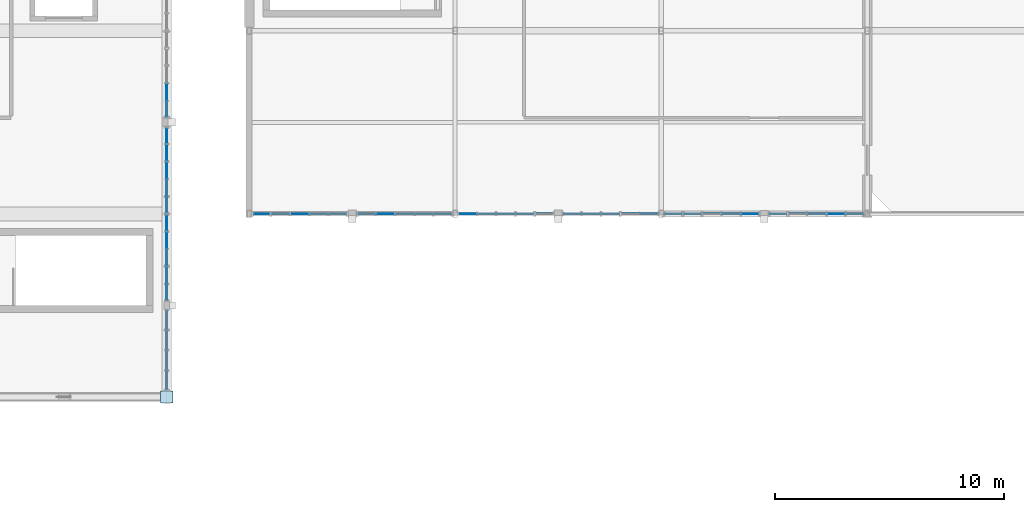
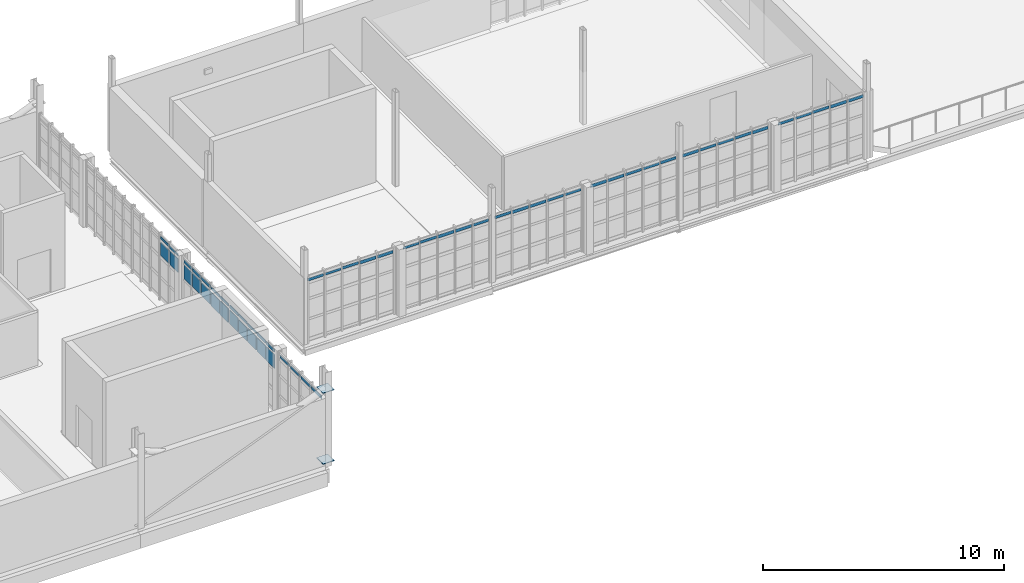
# One storey, part 101 of 128: 60 plates, 10 elements without a shape of their own.
"""IFC4 building model written with IfcOpenShell, lengths in metres."""

from ifc_helpers import new_model, si_unit, direction, frame, origin, origin_2d, place, context, subcontext, project, spatial, rectangle, extrude, material, layer, layer_set, type_object, element, aggregate, save


model = new_model("IFC4")

# Units and contexts
model_context = context("Model", 3, precision=1e-05, world=origin(), true_north=direction((0.0, 1.0)))
body_context = subcontext(model_context, "Body", "Model", "MODEL_VIEW")
ifc_project = project(units=[si_unit("LENGTHUNIT", "METRE"), si_unit("AREAUNIT", "SQUARE_METRE"), si_unit("VOLUMEUNIT", "CUBIC_METRE"), si_unit("PLANEANGLEUNIT", "RADIAN"), si_unit("MASSUNIT", "GRAM", prefix="KILO")], contexts=[model_context])

# Site, building, storey
site_placement = place(None, origin())
site = spatial("IfcSite", under=ifc_project, at=site_placement, CompositionType="ELEMENT")
building_placement = place(site_placement, origin())
building = spatial("IfcBuilding", under=site, at=building_placement, Name="Serraforn Aerial Cableway Station", CompositionType="ELEMENT")
storey_placement = place(building_placement, frame((0.0, 0.0, 9.0)))
storey = spatial("IfcBuildingStorey", under=building, at=storey_placement, Name="L02", CompositionType="ELEMENT", Elevation=9.0)

# Curtain wall, plate
ifc_material_1 = material(Name="Anodised bronze unitised curtain wall")
curtain_wall_type_1 = type_object("IfcCurtainWallType", Name="CW-SYS-1", PredefinedType="USERDEFINED", material=ifc_material_1)
curtain_wall_1_placement = place(storey_placement, origin())
curtain_wall_1 = element("IfcCurtainWall", 1, at=curtain_wall_1_placement, inside=storey, type_object=curtain_wall_type_1, Name="Unitised Curtain Wall CW-CV-L02-E2A", ObjectType="UNITISED CURTAIN WALL", PredefinedType="USERDEFINED")
ifc_material_2 = material(Name="Solar-control low-E double glazing", Category="glass")
ifc_layer_1 = layer(ifc_material_2, 0.02587890625)
ifc_layer_set_1 = layer_set([ifc_layer_1], Name="Solar-control low-E double glazing")
plate_type_1 = type_object("IfcPlateType", Name="CW-GLZ-1", PredefinedType="CURTAIN_PANEL", material=ifc_layer_set_1)
plate_1_placement = place(storey_placement, frame((90.60009765625, 29.419189453125, 3.0673828125), z_axis=(0.0, 0.0, 1.0), x_axis=(1.0, 0.0, 0.0)))
plate_1 = element("IfcPlate", 2, at=plate_1_placement, type_object=plate_type_1, Name="Curtain Wall Panel CW-CV-L02-E2A-P5-4", PredefinedType="CURTAIN_PANEL", context=body_context, shape_type="SweptSolid", body=[
    extrude(rectangle(XDim=0.02587890625, YDim=0.66552734375, at=origin_2d()), origin(), (0.0, 0.0, 1.0), 0.150146484375),
])

curtain_wall_type_2 = type_object("IfcCurtainWallType", Name="CW-SYS-23", PredefinedType="USERDEFINED", material=ifc_material_1)
curtain_wall_2_placement = place(storey_placement, origin())
curtain_wall_2 = element("IfcCurtainWall", 3, at=curtain_wall_2_placement, inside=storey, type_object=curtain_wall_type_2, Name="Unitised Curtain Wall CW-EL-L02-S1A", ObjectType="UNITISED CURTAIN WALL", PredefinedType="USERDEFINED")
plate_2_placement = place(storey_placement, frame((96.40771484375, 26.0, 3.090087890625), z_axis=(0.0, 0.0, 1.0), x_axis=(1.0, 0.0, 0.0)))
plate_2 = element("IfcPlate", 4, at=plate_2_placement, type_object=plate_type_1, Name="Curtain Wall Panel CW-EL-L02-S1A-P3-4", PredefinedType="CURTAIN_PANEL", context=body_context, shape_type="SweptSolid", body=[
    extrude(rectangle(XDim=0.791015625, YDim=0.02587890625, at=origin_2d()), origin(), (0.0, 0.0, 1.0), 0.14013671875),
])

curtain_wall_type_3 = type_object("IfcCurtainWallType", Name="CW-SYS-24", PredefinedType="USERDEFINED", material=ifc_material_1)
curtain_wall_3_placement = place(storey_placement, origin())
curtain_wall_3 = element("IfcCurtainWall", 5, at=curtain_wall_3_placement, inside=storey, type_object=curtain_wall_type_3, Name="Unitised Curtain Wall CW-EL-L02-S1B", ObjectType="UNITISED CURTAIN WALL", PredefinedType="USERDEFINED")
plate_3_placement = place(storey_placement, frame((100.145263671875, 26.0, 3.090087890625), z_axis=(0.0, 0.0, 1.0), x_axis=(1.0, 0.0, 0.0)))
plate_3 = element("IfcPlate", 6, at=plate_3_placement, type_object=plate_type_1, Name="Curtain Wall Panel CW-EL-L02-S1B-P2-4", PredefinedType="CURTAIN_PANEL", context=body_context, shape_type="SweptSolid", body=[
    extrude(rectangle(XDim=0.791015625, YDim=0.02587890625, at=origin_2d()), origin(), (0.0, 0.0, 1.0), 0.14013671875),
])

curtain_wall_type_4 = type_object("IfcCurtainWallType", Name="CW-SYS-25", PredefinedType="USERDEFINED", material=ifc_material_1)
curtain_wall_4_placement = place(storey_placement, origin())
curtain_wall_4 = element("IfcCurtainWall", 7, at=curtain_wall_4_placement, inside=storey, type_object=curtain_wall_type_4, Name="Unitised Curtain Wall CW-EL-L02-S2A", ObjectType="UNITISED CURTAIN WALL", PredefinedType="USERDEFINED")
plate_4_placement = place(storey_placement, frame((103.732666015625, 26.0, 3.090087890625), z_axis=(0.0, 0.0, 1.0), x_axis=(1.0, 0.0, 0.0)))
plate_4 = element("IfcPlate", 8, at=plate_4_placement, type_object=plate_type_1, Name="Curtain Wall Panel CW-EL-L02-S2A-P1-4", PredefinedType="CURTAIN_PANEL", context=body_context, shape_type="SweptSolid", body=[
    extrude(rectangle(XDim=0.763427734375, YDim=0.02587890625, at=origin_2d()), origin(), (0.0, 0.0, 1.0), 0.14013671875),
])

# Plate
ifc_layer_2 = layer(ifc_material_2, 0.028076171875)
ifc_layer_set_2 = layer_set([ifc_layer_2], Name="Solar-control low-E double glazing")
plate_type_2 = type_object("IfcPlateType", Name="CW-GLZ-2", PredefinedType="CURTAIN_PANEL", material=ifc_layer_set_2)
plate_5_placement = place(storey_placement, frame((97.252197265625, 26.0, 3.0625), z_axis=(0.0, 0.0, 1.0), x_axis=(1.0, 0.0, 0.0)))
plate_5 = element("IfcPlate", 9, at=plate_5_placement, type_object=plate_type_2, Name="Curtain Wall Panel CW-EL-L02-S1A-P4-4", PredefinedType="CURTAIN_PANEL", context=body_context, shape_type="SweptSolid", body=[
    extrude(rectangle(XDim=0.785888671875, YDim=0.028076171875, at=origin_2d()), origin(), (0.0, 0.0, 1.0), 0.16259765625),
])

plate_6_placement = place(storey_placement, frame((100.98974609375, 26.0, 3.0625), z_axis=(0.0, 0.0, 1.0), x_axis=(1.0, 0.0, 0.0)))
plate_6 = element("IfcPlate", 10, at=plate_6_placement, type_object=plate_type_2, Name="Curtain Wall Panel CW-EL-L02-S1B-P3-4", PredefinedType="CURTAIN_PANEL", context=body_context, shape_type="SweptSolid", body=[
    extrude(rectangle(XDim=0.785888671875, YDim=0.028076171875, at=origin_2d()), origin(), (0.0, 0.0, 1.0), 0.16259765625),
])

plate_7_placement = place(storey_placement, frame((104.563232421875, 26.0, 3.0625), z_axis=(0.0, 0.0, 1.0), x_axis=(1.0, 0.0, 0.0)))
plate_7 = element("IfcPlate", 11, at=plate_7_placement, type_object=plate_type_2, Name="Curtain Wall Panel CW-EL-L02-S2A-P2-4", PredefinedType="CURTAIN_PANEL", context=body_context, shape_type="SweptSolid", body=[
    extrude(rectangle(XDim=0.785888671875, YDim=0.028076171875, at=origin_2d()), origin(), (0.0, 0.0, 1.0), 0.16259765625),
])

# Curtain wall, plate
curtain_wall_type_5 = type_object("IfcCurtainWallType", Name="CW-SYS-26", PredefinedType="USERDEFINED", material=ifc_material_1)
curtain_wall_5_placement = place(storey_placement, origin())
curtain_wall_5 = element("IfcCurtainWall", 12, at=curtain_wall_5_placement, inside=storey, type_object=curtain_wall_type_5, Name="Unitised Curtain Wall CW-EL-L02-S2B", ObjectType="UNITISED CURTAIN WALL", PredefinedType="USERDEFINED")
plate_8_placement = place(storey_placement, frame((108.31591796875, 26.0, 3.0625), z_axis=(0.0, 0.0, 1.0), x_axis=(1.0, 0.0, 0.0)))
plate_8 = element("IfcPlate", 13, at=plate_8_placement, type_object=plate_type_2, Name="Curtain Wall Panel CW-EL-L02-S2B-P1-4", PredefinedType="CURTAIN_PANEL", context=body_context, shape_type="SweptSolid", body=[
    extrude(rectangle(XDim=0.755859375, YDim=0.028076171875, at=origin_2d()), origin(), (0.0, 0.0, 1.0), 0.16259765625),
])

curtain_wall_type_6 = type_object("IfcCurtainWallType", Name="CW-SYS-27", PredefinedType="USERDEFINED", material=ifc_material_1)
curtain_wall_6_placement = place(storey_placement, origin())
curtain_wall_6 = element("IfcCurtainWall", 14, at=curtain_wall_6_placement, inside=storey, type_object=curtain_wall_type_6, Name="Unitised Curtain Wall CW-CV-L02-E1A", ObjectType="UNITISED CURTAIN WALL", PredefinedType="USERDEFINED")
ifc_layer_3 = layer(ifc_material_2, 0.030029296875)
ifc_layer_set_3 = layer_set([ifc_layer_3], Name="Solar-control low-E double glazing")
plate_type_3 = type_object("IfcPlateType", Name="CW-GLZ-3", PredefinedType="CURTAIN_PANEL", material=ifc_layer_set_3)
plate_9_placement = place(storey_placement, frame((90.60009765625, 18.72998046875, 3.0625), z_axis=(0.0, 0.0, 1.0), x_axis=(1.0, 0.0, 0.0)))
plate_9 = element("IfcPlate", 15, at=plate_9_placement, type_object=plate_type_3, Name="Curtain Wall Panel CW-CV-L02-E1A-P1-4", PredefinedType="CURTAIN_PANEL", context=body_context, shape_type="SweptSolid", body=[
    extrude(rectangle(XDim=0.030029296875, YDim=0.79833984375, at=origin_2d()), origin(), (0.0, 0.0, 1.0), 0.16259765625),
])

curtain_wall_type_7 = type_object("IfcCurtainWallType", Name="CW-SYS-28", PredefinedType="USERDEFINED", material=ifc_material_1)
curtain_wall_7_placement = place(storey_placement, origin())
curtain_wall_7 = element("IfcCurtainWall", 16, at=curtain_wall_7_placement, inside=storey, type_object=curtain_wall_type_7, Name="Unitised Curtain Wall CW-CV-L02-E1B", ObjectType="UNITISED CURTAIN WALL", PredefinedType="USERDEFINED")
plate_10_placement = place(storey_placement, frame((90.60009765625, 22.576904296875, 2.24169921875), z_axis=(0.0, 0.0, 1.0), x_axis=(1.0, 0.0, 0.0)))
plate_10 = element("IfcPlate", 17, at=plate_10_placement, type_object=plate_type_3, Name="Curtain Wall Panel CW-CV-L02-E1B-P1-3", PredefinedType="CURTAIN_PANEL", context=body_context, shape_type="SweptSolid", body=[
    extrude(rectangle(XDim=0.030029296875, YDim=0.66796875, at=origin_2d()), origin(), (0.0, 0.0, 1.0), 0.709716796875),
])

# Plate
plate_11_placement = place(storey_placement, frame((98.0791015625, 26.0, 3.0673828125), z_axis=(0.0, 0.0, 1.0), x_axis=(1.0, 0.0, 0.0)))
plate_11 = element("IfcPlate", 18, at=plate_11_placement, type_object=plate_type_3, Name="Curtain Wall Panel CW-EL-L02-S1A-P5-4", PredefinedType="CURTAIN_PANEL", context=body_context, shape_type="SweptSolid", body=[
    extrude(rectangle(XDim=0.745849609375, YDim=0.030029296875, at=origin_2d()), origin(), (0.0, 0.0, 1.0), 0.150146484375),
])

plate_12_placement = place(storey_placement, frame((101.834228515625, 26.0, 3.0673828125), z_axis=(0.0, 0.0, 1.0), x_axis=(1.0, 0.0, 0.0)))
plate_12 = element("IfcPlate", 19, at=plate_12_placement, type_object=plate_type_3, Name="Curtain Wall Panel CW-EL-L02-S1B-P4-4", PredefinedType="CURTAIN_PANEL", context=body_context, shape_type="SweptSolid", body=[
    extrude(rectangle(XDim=0.781005859375, YDim=0.030029296875, at=origin_2d()), origin(), (0.0, 0.0, 1.0), 0.150146484375),
])

plate_13_placement = place(storey_placement, frame((105.40771484375, 26.0, 3.0673828125), z_axis=(0.0, 0.0, 1.0), x_axis=(1.0, 0.0, 0.0)))
plate_13 = element("IfcPlate", 20, at=plate_13_placement, type_object=plate_type_3, Name="Curtain Wall Panel CW-EL-L02-S2A-P3-4", PredefinedType="CURTAIN_PANEL", context=body_context, shape_type="SweptSolid", body=[
    extrude(rectangle(XDim=0.781005859375, YDim=0.030029296875, at=origin_2d()), origin(), (0.0, 0.0, 1.0), 0.150146484375),
])

plate_14_placement = place(storey_placement, frame((109.145263671875, 26.0, 3.0673828125), z_axis=(0.0, 0.0, 1.0), x_axis=(1.0, 0.0, 0.0)))
plate_14 = element("IfcPlate", 21, at=plate_14_placement, type_object=plate_type_3, Name="Curtain Wall Panel CW-EL-L02-S2B-P2-4", PredefinedType="CURTAIN_PANEL", context=body_context, shape_type="SweptSolid", body=[
    extrude(rectangle(XDim=0.781005859375, YDim=0.030029296875, at=origin_2d()), origin(), (0.0, 0.0, 1.0), 0.150146484375),
])

# Curtain wall, plate
curtain_wall_8_placement = place(storey_placement, origin())
curtain_wall_8 = element("IfcCurtainWall", 22, at=curtain_wall_8_placement, inside=storey, type_object=curtain_wall_type_6, Name="Unitised Curtain Wall CW-EL-L02-S3A", ObjectType="UNITISED CURTAIN WALL", PredefinedType="USERDEFINED")
plate_15_placement = place(storey_placement, frame((112.735107421875, 26.0, 3.0673828125), z_axis=(0.0, 0.0, 1.0), x_axis=(1.0, 0.0, 0.0)))
plate_15 = element("IfcPlate", 23, at=plate_15_placement, type_object=plate_type_3, Name="Curtain Wall Panel CW-EL-L02-S3A-P1-4", PredefinedType="CURTAIN_PANEL", context=body_context, shape_type="SweptSolid", body=[
    extrude(rectangle(XDim=0.748291015625, YDim=0.030029296875, at=origin_2d()), origin(), (0.0, 0.0, 1.0), 0.150146484375),
])

# Plate
ifc_layer_4 = layer(ifc_material_2, 0.031982421875)
ifc_layer_set_4 = layer_set([ifc_layer_4], Name="Solar-control low-E double glazing")
plate_type_4 = type_object("IfcPlateType", Name="CW-GLZ-4", PredefinedType="CURTAIN_PANEL", material=ifc_layer_set_4)
plate_16_placement = place(storey_placement, frame((90.60009765625, 19.601806640625, 3.0673828125), z_axis=(0.0, 0.0, 1.0), x_axis=(1.0, 0.0, 0.0)))
plate_16 = element("IfcPlate", 24, at=plate_16_placement, type_object=plate_type_4, Name="Curtain Wall Panel CW-CV-L02-E1A-P2-4", PredefinedType="CURTAIN_PANEL", context=body_context, shape_type="SweptSolid", body=[
    extrude(rectangle(XDim=0.031982421875, YDim=0.8232421875, at=origin_2d()), origin(), (0.0, 0.0, 1.0), 0.150146484375),
])

plate_17_placement = place(storey_placement, frame((90.60009765625, 22.576904296875, 3.0673828125), z_axis=(0.0, 0.0, 1.0), x_axis=(1.0, 0.0, 0.0)))
plate_17 = element("IfcPlate", 25, at=plate_17_placement, type_object=plate_type_4, Name="Curtain Wall Panel CW-CV-L02-E1B-P1-4", PredefinedType="CURTAIN_PANEL", context=body_context, shape_type="SweptSolid", body=[
    extrude(rectangle(XDim=0.031982421875, YDim=0.66796875, at=origin_2d()), origin(), (0.0, 0.0, 1.0), 0.150146484375),
])

plate_18_placement = place(storey_placement, frame((90.60009765625, 23.32470703125, 2.246826171875), z_axis=(0.0, 0.0, 1.0), x_axis=(1.0, 0.0, 0.0)))
plate_18 = element("IfcPlate", 26, at=plate_18_placement, type_object=plate_type_4, Name="Curtain Wall Panel CW-CV-L02-E1B-P2-3", PredefinedType="CURTAIN_PANEL", context=body_context, shape_type="SweptSolid", body=[
    extrude(rectangle(XDim=0.031982421875, YDim=0.695556640625, at=origin_2d()), origin(), (0.0, 0.0, 1.0), 0.697265625),
])

plate_19_placement = place(storey_placement, frame((90.60009765625, 26.398193359375, 2.246826171875), z_axis=(0.0, 0.0, 1.0), x_axis=(1.0, 0.0, 0.0)))
plate_19 = element("IfcPlate", 27, at=plate_19_placement, type_object=plate_type_4, Name="Curtain Wall Panel CW-CV-L02-E2A-P1-3", PredefinedType="CURTAIN_PANEL", context=body_context, shape_type="SweptSolid", body=[
    extrude(rectangle(XDim=0.031982421875, YDim=0.660400390625, at=origin_2d()), origin(), (0.0, 0.0, 1.0), 0.697265625),
])

plate_20_placement = place(storey_placement, frame((102.659912109375, 26.0, 3.0751953125), z_axis=(0.0, 0.0, 1.0), x_axis=(1.0, 0.0, 0.0)))
plate_20 = element("IfcPlate", 28, at=plate_20_placement, type_object=plate_type_4, Name="Curtain Wall Panel CW-EL-L02-S1B-P5-4", PredefinedType="CURTAIN_PANEL", context=body_context, shape_type="SweptSolid", body=[
    extrude(rectangle(XDim=0.73828125, YDim=0.031982421875, at=origin_2d()), origin(), (0.0, 0.0, 1.0), 0.135009765625),
])

plate_21_placement = place(storey_placement, frame((106.252197265625, 26.0, 3.0751953125), z_axis=(0.0, 0.0, 1.0), x_axis=(1.0, 0.0, 0.0)))
plate_21 = element("IfcPlate", 29, at=plate_21_placement, type_object=plate_type_4, Name="Curtain Wall Panel CW-EL-L02-S2A-P4-4", PredefinedType="CURTAIN_PANEL", context=body_context, shape_type="SweptSolid", body=[
    extrude(rectangle(XDim=0.77587890625, YDim=0.031982421875, at=origin_2d()), origin(), (0.0, 0.0, 1.0), 0.135009765625),
])

plate_22_placement = place(storey_placement, frame((109.98974609375, 26.0, 3.0751953125), z_axis=(0.0, 0.0, 1.0), x_axis=(1.0, 0.0, 0.0)))
plate_22 = element("IfcPlate", 30, at=plate_22_placement, type_object=plate_type_4, Name="Curtain Wall Panel CW-EL-L02-S2B-P3-4", PredefinedType="CURTAIN_PANEL", context=body_context, shape_type="SweptSolid", body=[
    extrude(rectangle(XDim=0.77587890625, YDim=0.031982421875, at=origin_2d()), origin(), (0.0, 0.0, 1.0), 0.135009765625),
])

plate_23_placement = place(storey_placement, frame((113.563232421875, 26.0, 3.0751953125), z_axis=(0.0, 0.0, 1.0), x_axis=(1.0, 0.0, 0.0)))
plate_23 = element("IfcPlate", 31, at=plate_23_placement, type_object=plate_type_4, Name="Curtain Wall Panel CW-EL-L02-S3A-P2-4", PredefinedType="CURTAIN_PANEL", context=body_context, shape_type="SweptSolid", body=[
    extrude(rectangle(XDim=0.77587890625, YDim=0.031982421875, at=origin_2d()), origin(), (0.0, 0.0, 1.0), 0.135009765625),
])

# Curtain wall, plate
curtain_wall_9_placement = place(storey_placement, origin())
curtain_wall_9 = element("IfcCurtainWall", 32, at=curtain_wall_9_placement, inside=storey, type_object=curtain_wall_type_7, Name="Unitised Curtain Wall CW-EL-L02-S3B", ObjectType="UNITISED CURTAIN WALL", PredefinedType="USERDEFINED")
plate_24_placement = place(storey_placement, frame((117.318359375, 26.0, 3.0751953125), z_axis=(0.0, 0.0, 1.0), x_axis=(1.0, 0.0, 0.0)))
plate_24 = element("IfcPlate", 33, at=plate_24_placement, type_object=plate_type_4, Name="Curtain Wall Panel CW-EL-L02-S3B-P1-4", PredefinedType="CURTAIN_PANEL", context=body_context, shape_type="SweptSolid", body=[
    extrude(rectangle(XDim=0.740966796875, YDim=0.031982421875, at=origin_2d()), origin(), (0.0, 0.0, 1.0), 0.135009765625),
])

# Plate
ifc_layer_5 = layer(ifc_material_2, 0.033935546875)
ifc_layer_set_5 = layer_set([ifc_layer_5], Name="Solar-control low-E double glazing")
plate_type_5 = type_object("IfcPlateType", Name="CW-GLZ-5", PredefinedType="CURTAIN_PANEL", material=ifc_layer_set_5)
plate_25_placement = place(storey_placement, frame((90.60009765625, 20.488525390625, 3.0751953125), z_axis=(0.0, 0.0, 1.0), x_axis=(1.0, 0.0, 0.0)))
plate_25 = element("IfcPlate", 34, at=plate_25_placement, type_object=plate_type_5, Name="Curtain Wall Panel CW-CV-L02-E1A-P3-4", PredefinedType="CURTAIN_PANEL", context=body_context, shape_type="SweptSolid", body=[
    extrude(rectangle(XDim=0.033935546875, YDim=0.818115234375, at=origin_2d()), origin(), (0.0, 0.0, 1.0), 0.135009765625),
])

plate_26_placement = place(storey_placement, frame((90.60009765625, 23.32470703125, 3.0751953125), z_axis=(0.0, 0.0, 1.0), x_axis=(1.0, 0.0, 0.0)))
plate_26 = element("IfcPlate", 35, at=plate_26_placement, type_object=plate_type_5, Name="Curtain Wall Panel CW-CV-L02-E1B-P2-4", PredefinedType="CURTAIN_PANEL", context=body_context, shape_type="SweptSolid", body=[
    extrude(rectangle(XDim=0.033935546875, YDim=0.695556640625, at=origin_2d()), origin(), (0.0, 0.0, 1.0), 0.135009765625),
])

plate_27_placement = place(storey_placement, frame((90.60009765625, 24.094970703125, 2.25439453125), z_axis=(0.0, 0.0, 1.0), x_axis=(1.0, 0.0, 0.0)))
plate_27 = element("IfcPlate", 36, at=plate_27_placement, type_object=plate_type_5, Name="Curtain Wall Panel CW-CV-L02-E1B-P3-3", PredefinedType="CURTAIN_PANEL", context=body_context, shape_type="SweptSolid", body=[
    extrude(rectangle(XDim=0.033935546875, YDim=0.702880859375, at=origin_2d()), origin(), (0.0, 0.0, 1.0), 0.682373046875),
])

plate_28_placement = place(storey_placement, frame((90.60009765625, 26.398193359375, 3.0751953125), z_axis=(0.0, 0.0, 1.0), x_axis=(1.0, 0.0, 0.0)))
plate_28 = element("IfcPlate", 37, at=plate_28_placement, type_object=plate_type_5, Name="Curtain Wall Panel CW-CV-L02-E2A-P1-4", PredefinedType="CURTAIN_PANEL", context=body_context, shape_type="SweptSolid", body=[
    extrude(rectangle(XDim=0.033935546875, YDim=0.660400390625, at=origin_2d()), origin(), (0.0, 0.0, 1.0), 0.135009765625),
])

plate_29_placement = place(storey_placement, frame((90.60009765625, 27.15087890625, 2.25439453125), z_axis=(0.0, 0.0, 1.0), x_axis=(1.0, 0.0, 0.0)))
plate_29 = element("IfcPlate", 38, at=plate_29_placement, type_object=plate_type_5, Name="Curtain Wall Panel CW-CV-L02-E2A-P2-3", PredefinedType="CURTAIN_PANEL", context=body_context, shape_type="SweptSolid", body=[
    extrude(rectangle(XDim=0.033935546875, YDim=0.702880859375, at=origin_2d()), origin(), (0.0, 0.0, 1.0), 0.682373046875),
])

# Curtain wall, plate
curtain_wall_type_8 = type_object("IfcCurtainWallType", Name="CW-SYS-2", PredefinedType="USERDEFINED", material=ifc_material_1)
curtain_wall_10_placement = place(storey_placement, origin())
curtain_wall_10 = element("IfcCurtainWall", 39, at=curtain_wall_10_placement, inside=storey, type_object=curtain_wall_type_8, Name="Unitised Curtain Wall CW-CV-L02-E2B", ObjectType="UNITISED CURTAIN WALL", PredefinedType="USERDEFINED")
plate_30_placement = place(storey_placement, frame((90.60009765625, 30.585693359375, 2.25439453125), z_axis=(0.0, 0.0, 1.0), x_axis=(1.0, 0.0, 0.0)))
plate_30 = element("IfcPlate", 40, at=plate_30_placement, type_object=plate_type_5, Name="Curtain Wall Panel CW-CV-L02-E2B-P1-3", PredefinedType="CURTAIN_PANEL", context=body_context, shape_type="SweptSolid", body=[
    extrude(rectangle(XDim=0.033935546875, YDim=0.66552734375, at=origin_2d()), origin(), (0.0, 0.0, 1.0), 0.682373046875),
])

# Plate
plate_31_placement = place(storey_placement, frame((107.089111328125, 26.0, 3.08251953125), z_axis=(0.0, 0.0, 1.0), x_axis=(1.0, 0.0, 0.0)))
plate_31 = element("IfcPlate", 41, at=plate_31_placement, type_object=plate_type_5, Name="Curtain Wall Panel CW-EL-L02-S2A-P5-4", PredefinedType="CURTAIN_PANEL", context=body_context, shape_type="SweptSolid", body=[
    extrude(rectangle(XDim=0.755859375, YDim=0.033935546875, at=origin_2d()), origin(), (0.0, 0.0, 1.0), 0.1201171875),
])

aggregate(curtain_wall_4, [plate_4, plate_7, plate_13, plate_21, plate_31])

plate_32_placement = place(storey_placement, frame((110.84033203125, 26.0, 3.08251953125), z_axis=(0.0, 0.0, 1.0), x_axis=(1.0, 0.0, 0.0)))
plate_32 = element("IfcPlate", 42, at=plate_32_placement, type_object=plate_type_5, Name="Curtain Wall Panel CW-EL-L02-S2B-P4-4", PredefinedType="CURTAIN_PANEL", context=body_context, shape_type="SweptSolid", body=[
    extrude(rectangle(XDim=0.783447265625, YDim=0.033935546875, at=origin_2d()), origin(), (0.0, 0.0, 1.0), 0.1201171875),
])

plate_33_placement = place(storey_placement, frame((114.4140625, 26.0, 3.08251953125), z_axis=(0.0, 0.0, 1.0), x_axis=(1.0, 0.0, 0.0)))
plate_33 = element("IfcPlate", 43, at=plate_33_placement, type_object=plate_type_5, Name="Curtain Wall Panel CW-EL-L02-S3A-P3-4", PredefinedType="CURTAIN_PANEL", context=body_context, shape_type="SweptSolid", body=[
    extrude(rectangle(XDim=0.783447265625, YDim=0.033935546875, at=origin_2d()), origin(), (0.0, 0.0, 1.0), 0.1201171875),
])

plate_34_placement = place(storey_placement, frame((118.151611328125, 26.0, 3.08251953125), z_axis=(0.0, 0.0, 1.0), x_axis=(1.0, 0.0, 0.0)))
plate_34 = element("IfcPlate", 44, at=plate_34_placement, type_object=plate_type_5, Name="Curtain Wall Panel CW-EL-L02-S3B-P2-4", PredefinedType="CURTAIN_PANEL", context=body_context, shape_type="SweptSolid", body=[
    extrude(rectangle(XDim=0.783447265625, YDim=0.033935546875, at=origin_2d()), origin(), (0.0, 0.0, 1.0), 0.1201171875),
])

ifc_layer_6 = layer(ifc_material_2, 0.035888671875)
ifc_layer_set_6 = layer_set([ifc_layer_6], Name="Solar-control low-E double glazing")
plate_type_6 = type_object("IfcPlateType", Name="CW-GLZ-6", PredefinedType="CURTAIN_PANEL", material=ifc_layer_set_6)
plate_35_placement = place(storey_placement, frame((90.60009765625, 21.367919921875, 3.08251953125), z_axis=(0.0, 0.0, 1.0), x_axis=(1.0, 0.0, 0.0)))
plate_35 = element("IfcPlate", 45, at=plate_35_placement, type_object=plate_type_6, Name="Curtain Wall Panel CW-CV-L02-E1A-P4-4", PredefinedType="CURTAIN_PANEL", context=body_context, shape_type="SweptSolid", body=[
    extrude(rectangle(XDim=0.035888671875, YDim=0.798095703125, at=origin_2d()), origin(), (0.0, 0.0, 1.0), 0.1201171875),
])

aggregate(curtain_wall_6, [plate_9, plate_16, plate_25, plate_35])

plate_36_placement = place(storey_placement, frame((90.60009765625, 24.094970703125, 3.08251953125), z_axis=(0.0, 0.0, 1.0), x_axis=(1.0, 0.0, 0.0)))
plate_36 = element("IfcPlate", 46, at=plate_36_placement, type_object=plate_type_6, Name="Curtain Wall Panel CW-CV-L02-E1B-P3-4", PredefinedType="CURTAIN_PANEL", context=body_context, shape_type="SweptSolid", body=[
    extrude(rectangle(XDim=0.035888671875, YDim=0.702880859375, at=origin_2d()), origin(), (0.0, 0.0, 1.0), 0.1201171875),
])

plate_37_placement = place(storey_placement, frame((90.60009765625, 24.852783203125, 2.26171875), z_axis=(0.0, 0.0, 1.0), x_axis=(1.0, 0.0, 0.0)))
plate_37 = element("IfcPlate", 47, at=plate_37_placement, type_object=plate_type_6, Name="Curtain Wall Panel CW-CV-L02-E1B-P4-3", PredefinedType="CURTAIN_PANEL", context=body_context, shape_type="SweptSolid", body=[
    extrude(rectangle(XDim=0.035888671875, YDim=0.71044921875, at=origin_2d()), origin(), (0.0, 0.0, 1.0), 0.667236328125),
])

plate_38_placement = place(storey_placement, frame((90.60009765625, 27.15087890625, 3.08251953125), z_axis=(0.0, 0.0, 1.0), x_axis=(1.0, 0.0, 0.0)))
plate_38 = element("IfcPlate", 48, at=plate_38_placement, type_object=plate_type_6, Name="Curtain Wall Panel CW-CV-L02-E2A-P2-4", PredefinedType="CURTAIN_PANEL", context=body_context, shape_type="SweptSolid", body=[
    extrude(rectangle(XDim=0.035888671875, YDim=0.702880859375, at=origin_2d()), origin(), (0.0, 0.0, 1.0), 0.1201171875),
])

plate_39_placement = place(storey_placement, frame((90.60009765625, 27.90869140625, 2.26171875), z_axis=(0.0, 0.0, 1.0), x_axis=(1.0, 0.0, 0.0)))
plate_39 = element("IfcPlate", 49, at=plate_39_placement, type_object=plate_type_6, Name="Curtain Wall Panel CW-CV-L02-E2A-P3-3", PredefinedType="CURTAIN_PANEL", context=body_context, shape_type="SweptSolid", body=[
    extrude(rectangle(XDim=0.035888671875, YDim=0.71044921875, at=origin_2d()), origin(), (0.0, 0.0, 1.0), 0.667236328125),
])

plate_40_placement = place(storey_placement, frame((90.60009765625, 30.585693359375, 3.08251953125), z_axis=(0.0, 0.0, 1.0), x_axis=(1.0, 0.0, 0.0)))
plate_40 = element("IfcPlate", 50, at=plate_40_placement, type_object=plate_type_6, Name="Curtain Wall Panel CW-CV-L02-E2B-P1-4", PredefinedType="CURTAIN_PANEL", context=body_context, shape_type="SweptSolid", body=[
    extrude(rectangle(XDim=0.035888671875, YDim=0.66552734375, at=origin_2d()), origin(), (0.0, 0.0, 1.0), 0.1201171875),
])

plate_41_placement = place(storey_placement, frame((90.60009765625, 31.32470703125, 2.26171875), z_axis=(0.0, 0.0, 1.0), x_axis=(1.0, 0.0, 0.0)))
plate_41 = element("IfcPlate", 51, at=plate_41_placement, type_object=plate_type_6, Name="Curtain Wall Panel CW-CV-L02-E2B-P2-3", PredefinedType="CURTAIN_PANEL", context=body_context, shape_type="SweptSolid", body=[
    extrude(rectangle(XDim=0.035888671875, YDim=0.71044921875, at=origin_2d()), origin(), (0.0, 0.0, 1.0), 0.667236328125),
])

plate_42_placement = place(storey_placement, frame((111.66357421875, 26.0, 3.090087890625), z_axis=(0.0, 0.0, 1.0), x_axis=(1.0, 0.0, 0.0)))
plate_42 = element("IfcPlate", 52, at=plate_42_placement, type_object=plate_type_6, Name="Curtain Wall Panel CW-EL-L02-S2B-P5-4", PredefinedType="CURTAIN_PANEL", context=body_context, shape_type="SweptSolid", body=[
    extrude(rectangle(XDim=0.760986328125, YDim=0.035888671875, at=origin_2d()), origin(), (0.0, 0.0, 1.0), 0.14013671875),
])

aggregate(curtain_wall_5, [plate_8, plate_14, plate_22, plate_32, plate_42])

plate_43_placement = place(storey_placement, frame((115.252197265625, 26.0, 3.090087890625), z_axis=(0.0, 0.0, 1.0), x_axis=(1.0, 0.0, 0.0)))
plate_43 = element("IfcPlate", 53, at=plate_43_placement, type_object=plate_type_6, Name="Curtain Wall Panel CW-EL-L02-S3A-P4-4", PredefinedType="CURTAIN_PANEL", context=body_context, shape_type="SweptSolid", body=[
    extrude(rectangle(XDim=0.791015625, YDim=0.035888671875, at=origin_2d()), origin(), (0.0, 0.0, 1.0), 0.14013671875),
])

plate_44_placement = place(storey_placement, frame((118.98974609375, 26.0, 3.090087890625), z_axis=(0.0, 0.0, 1.0), x_axis=(1.0, 0.0, 0.0)))
plate_44 = element("IfcPlate", 54, at=plate_44_placement, type_object=plate_type_6, Name="Curtain Wall Panel CW-EL-L02-S3B-P3-4", PredefinedType="CURTAIN_PANEL", context=body_context, shape_type="SweptSolid", body=[
    extrude(rectangle(XDim=0.791015625, YDim=0.035888671875, at=origin_2d()), origin(), (0.0, 0.0, 1.0), 0.14013671875),
])

ifc_layer_7 = layer(ifc_material_2, 0.029052734375)
ifc_layer_set_7 = layer_set([ifc_layer_7], Name="Solar-control low-E double glazing")
plate_type_7 = type_object("IfcPlateType", Name="CW-GLZ-7", PredefinedType="CURTAIN_PANEL", material=ifc_layer_set_7)
plate_45_placement = place(storey_placement, frame((90.60009765625, 24.852783203125, 3.090087890625), z_axis=(0.0, 0.0, 1.0), x_axis=(1.0, 0.0, 0.0)))
plate_45 = element("IfcPlate", 55, at=plate_45_placement, type_object=plate_type_7, Name="Curtain Wall Panel CW-CV-L02-E1B-P4-4", PredefinedType="CURTAIN_PANEL", context=body_context, shape_type="SweptSolid", body=[
    extrude(rectangle(XDim=0.029052734375, YDim=0.71044921875, at=origin_2d()), origin(), (0.0, 0.0, 1.0), 0.14013671875),
])

plate_46_placement = place(storey_placement, frame((90.60009765625, 25.6005859375, 2.26953125), z_axis=(0.0, 0.0, 1.0), x_axis=(1.0, 0.0, 0.0)))
plate_46 = element("IfcPlate", 56, at=plate_46_placement, type_object=plate_type_7, Name="Curtain Wall Panel CW-CV-L02-E1B-P5-3", PredefinedType="CURTAIN_PANEL", context=body_context, shape_type="SweptSolid", body=[
    extrude(rectangle(XDim=0.029052734375, YDim=0.673095703125, at=origin_2d()), origin(), (0.0, 0.0, 1.0), 0.687255859375),
])

plate_47_placement = place(storey_placement, frame((90.60009765625, 27.90869140625, 3.090087890625), z_axis=(0.0, 0.0, 1.0), x_axis=(1.0, 0.0, 0.0)))
plate_47 = element("IfcPlate", 57, at=plate_47_placement, type_object=plate_type_7, Name="Curtain Wall Panel CW-CV-L02-E2A-P3-4", PredefinedType="CURTAIN_PANEL", context=body_context, shape_type="SweptSolid", body=[
    extrude(rectangle(XDim=0.029052734375, YDim=0.71044921875, at=origin_2d()), origin(), (0.0, 0.0, 1.0), 0.14013671875),
])

plate_48_placement = place(storey_placement, frame((90.60009765625, 28.6728515625, 2.26953125), z_axis=(0.0, 0.0, 1.0), x_axis=(1.0, 0.0, 0.0)))
plate_48 = element("IfcPlate", 58, at=plate_48_placement, type_object=plate_type_7, Name="Curtain Wall Panel CW-CV-L02-E2A-P4-3", PredefinedType="CURTAIN_PANEL", context=body_context, shape_type="SweptSolid", body=[
    extrude(rectangle(XDim=0.029052734375, YDim=0.70556640625, at=origin_2d()), origin(), (0.0, 0.0, 1.0), 0.687255859375),
])

plate_49_placement = place(storey_placement, frame((90.60009765625, 31.32470703125, 3.090087890625), z_axis=(0.0, 0.0, 1.0), x_axis=(1.0, 0.0, 0.0)))
plate_49 = element("IfcPlate", 59, at=plate_49_placement, type_object=plate_type_7, Name="Curtain Wall Panel CW-CV-L02-E2B-P2-4", PredefinedType="CURTAIN_PANEL", context=body_context, shape_type="SweptSolid", body=[
    extrude(rectangle(XDim=0.029052734375, YDim=0.71044921875, at=origin_2d()), origin(), (0.0, 0.0, 1.0), 0.14013671875),
])

aggregate(curtain_wall_10, [plate_30, plate_40, plate_41, plate_49])

plate_50_placement = place(storey_placement, frame((94.736572265625, 26.0, 3.0751953125), z_axis=(0.0, 0.0, 1.0), x_axis=(1.0, 0.0, 0.0)))
plate_50 = element("IfcPlate", 60, at=plate_50_placement, type_object=plate_type_7, Name="Curtain Wall Panel CW-EL-L02-S1A-P1-4", PredefinedType="CURTAIN_PANEL", context=body_context, shape_type="SweptSolid", body=[
    extrude(rectangle(XDim=0.740966796875, YDim=0.029052734375, at=origin_2d()), origin(), (0.0, 0.0, 1.0), 0.135009765625),
])

plate_51_placement = place(storey_placement, frame((116.080322265625, 26.0, 3.0625), z_axis=(0.0, 0.0, 1.0), x_axis=(1.0, 0.0, 0.0)))
plate_51 = element("IfcPlate", 61, at=plate_51_placement, type_object=plate_type_7, Name="Curtain Wall Panel CW-EL-L02-S3A-P5-4", PredefinedType="CURTAIN_PANEL", context=body_context, shape_type="SweptSolid", body=[
    extrude(rectangle(XDim=0.75341796875, YDim=0.029052734375, at=origin_2d()), origin(), (0.0, 0.0, 1.0), 0.16259765625),
])

aggregate(curtain_wall_8, [plate_15, plate_23, plate_33, plate_43, plate_51])

plate_52_placement = place(storey_placement, frame((119.833984375, 26.0, 3.0625), z_axis=(0.0, 0.0, 1.0), x_axis=(1.0, 0.0, 0.0)))
plate_52 = element("IfcPlate", 62, at=plate_52_placement, type_object=plate_type_7, Name="Curtain Wall Panel CW-EL-L02-S3B-P4-4", PredefinedType="CURTAIN_PANEL", context=body_context, shape_type="SweptSolid", body=[
    extrude(rectangle(XDim=0.785888671875, YDim=0.029052734375, at=origin_2d()), origin(), (0.0, 0.0, 1.0), 0.16259765625),
])

ifc_layer_8 = layer(ifc_material_2, 0.031005859375)
ifc_layer_set_8 = layer_set([ifc_layer_8], Name="Solar-control low-E double glazing")
plate_type_8 = type_object("IfcPlateType", Name="CW-GLZ-8", PredefinedType="CURTAIN_PANEL", material=ifc_layer_set_8)
plate_53_placement = place(storey_placement, frame((90.60009765625, 25.6005859375, 3.0625), z_axis=(0.0, 0.0, 1.0), x_axis=(1.0, 0.0, 0.0)))
plate_53 = element("IfcPlate", 63, at=plate_53_placement, type_object=plate_type_8, Name="Curtain Wall Panel CW-CV-L02-E1B-P5-4", PredefinedType="CURTAIN_PANEL", context=body_context, shape_type="SweptSolid", body=[
    extrude(rectangle(XDim=0.031005859375, YDim=0.673095703125, at=origin_2d()), origin(), (0.0, 0.0, 1.0), 0.16259765625),
])

aggregate(curtain_wall_7, [plate_10, plate_17, plate_18, plate_26, plate_27, plate_36, plate_37, plate_45, plate_46, plate_53])

plate_54_placement = place(storey_placement, frame((90.60009765625, 28.6728515625, 3.0625), z_axis=(0.0, 0.0, 1.0), x_axis=(1.0, 0.0, 0.0)))
plate_54 = element("IfcPlate", 64, at=plate_54_placement, type_object=plate_type_8, Name="Curtain Wall Panel CW-CV-L02-E2A-P4-4", PredefinedType="CURTAIN_PANEL", context=body_context, shape_type="SweptSolid", body=[
    extrude(rectangle(XDim=0.031005859375, YDim=0.70556640625, at=origin_2d()), origin(), (0.0, 0.0, 1.0), 0.16259765625),
])

plate_55_placement = place(storey_placement, frame((90.60009765625, 29.419189453125, 2.24169921875), z_axis=(0.0, 0.0, 1.0), x_axis=(1.0, 0.0, 0.0)))
plate_55 = element("IfcPlate", 65, at=plate_55_placement, type_object=plate_type_8, Name="Curtain Wall Panel CW-CV-L02-E2A-P5-3", PredefinedType="CURTAIN_PANEL", context=body_context, shape_type="SweptSolid", body=[
    extrude(rectangle(XDim=0.031005859375, YDim=0.66552734375, at=origin_2d()), origin(), (0.0, 0.0, 1.0), 0.709716796875),
])

aggregate(curtain_wall_1, [plate_19, plate_28, plate_29, plate_38, plate_39, plate_47, plate_48, plate_54, plate_55, plate_1])

plate_56_placement = place(storey_placement, frame((95.569580078125, 26.0, 3.08251953125), z_axis=(0.0, 0.0, 1.0), x_axis=(1.0, 0.0, 0.0)))
plate_56 = element("IfcPlate", 66, at=plate_56_placement, type_object=plate_type_8, Name="Curtain Wall Panel CW-EL-L02-S1A-P2-4", PredefinedType="CURTAIN_PANEL", context=body_context, shape_type="SweptSolid", body=[
    extrude(rectangle(XDim=0.783447265625, YDim=0.031005859375, at=origin_2d()), origin(), (0.0, 0.0, 1.0), 0.1201171875),
])

aggregate(curtain_wall_2, [plate_50, plate_56, plate_2, plate_5, plate_11])

plate_57_placement = place(storey_placement, frame((99.325927734375, 26.0, 3.08251953125), z_axis=(0.0, 0.0, 1.0), x_axis=(1.0, 0.0, 0.0)))
plate_57 = element("IfcPlate", 67, at=plate_57_placement, type_object=plate_type_8, Name="Curtain Wall Panel CW-EL-L02-S1B-P1-4", PredefinedType="CURTAIN_PANEL", context=body_context, shape_type="SweptSolid", body=[
    extrude(rectangle(XDim=0.745849609375, YDim=0.031005859375, at=origin_2d()), origin(), (0.0, 0.0, 1.0), 0.1201171875),
])

aggregate(curtain_wall_3, [plate_57, plate_3, plate_6, plate_12, plate_20])

plate_58_placement = place(storey_placement, frame((120.6611328125, 26.0, 3.0673828125), z_axis=(0.0, 0.0, 1.0), x_axis=(1.0, 0.0, 0.0)))
plate_58 = element("IfcPlate", 68, at=plate_58_placement, type_object=plate_type_8, Name="Curtain Wall Panel CW-EL-L02-S3B-P5-4", PredefinedType="CURTAIN_PANEL", context=body_context, shape_type="SweptSolid", body=[
    extrude(rectangle(XDim=0.745849609375, YDim=0.031005859375, at=origin_2d()), origin(), (0.0, 0.0, 1.0), 0.150146484375),
])

aggregate(curtain_wall_9, [plate_24, plate_34, plate_44, plate_52, plate_58])

# Plates
ifc_material_3 = material(Name="Steel S355J2", Category="steel")
ifc_layer_9 = layer(ifc_material_3, 0.031982421875)
ifc_layer_set_9 = layer_set([ifc_layer_9], Name="Steel S355J2")
plate_type_9 = type_object("IfcPlateType", Name="PLT-CAP-32", PredefinedType="USERDEFINED", material=ifc_layer_set_9)
for number, where, z_axis, x_axis, name in (
    (69, (90.60009765625, 18.0, 3.7841796875), (0.0, 0.0, 1.0), (1.0, 0.0, 0.0), "Wind Brace Cap Plate 2-B"),
    (70, (90.60009765625, 18.0, 0.18408203125), (0.0, 0.0, 1.0), (1.0, 0.0, 0.0), "Split X-Brace Outer Cap 2-B"),
):
    element("IfcPlate", number, at=place(storey_placement, frame(where, z_axis=z_axis, x_axis=x_axis)), inside=storey, type_object=plate_type_9, Name=name, ObjectType="CAP PLATE", PredefinedType="USERDEFINED", context=body_context, shape_type="SweptSolid", body=[
        extrude(rectangle(XDim=0.5400390625, YDim=0.5400390625, at=origin_2d()), origin(), (0.0, 0.0, 1.0), 0.031982421875),
    ])

save(model, "model.ifc")
